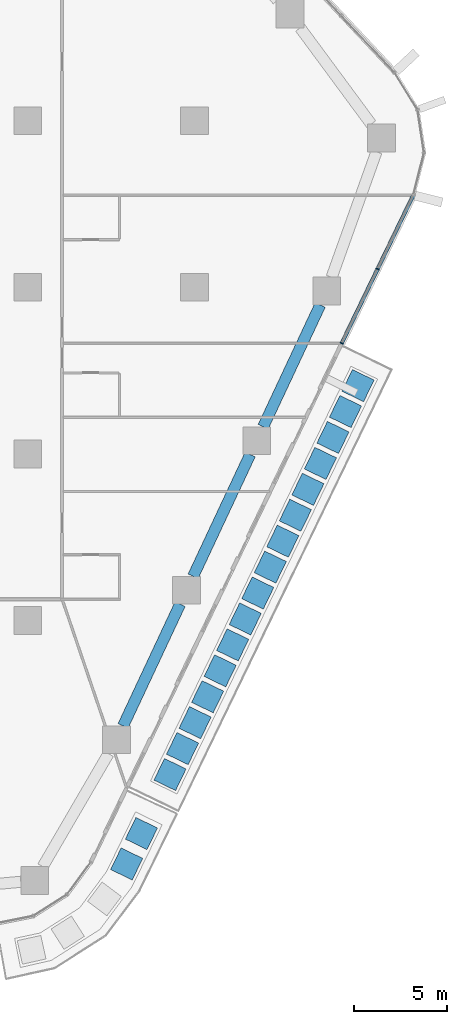
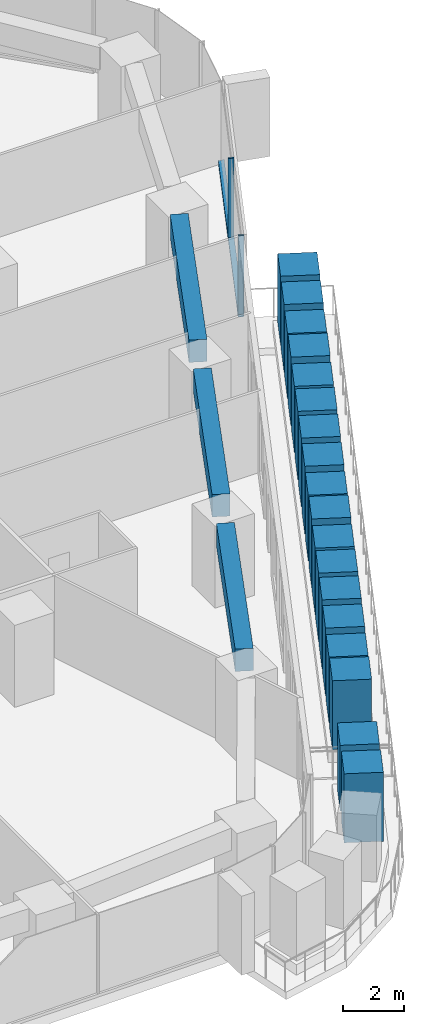
# One storey, part 6 of 24: 21 members, 3 beams, 1 element without a shape of its own.
"""IFC4 building model written with IfcOpenShell, lengths in metres."""

from ifc_helpers import new_model, si_unit, direction, frame, origin, origin_2d, place, context, subcontext, project, spatial, rectangle, extrude, material, layer, layer_set, material_profile, profile_set, type_object, element, aggregate, save


model = new_model("IFC4")

# Units and contexts
model_context = context("Model", 3, precision=1e-05, world=origin(), true_north=direction((0.0, 1.0)))
body_context = subcontext(model_context, "Body", "Model", "MODEL_VIEW")
ifc_project = project(units=[si_unit("LENGTHUNIT", "METRE"), si_unit("AREAUNIT", "SQUARE_METRE"), si_unit("VOLUMEUNIT", "CUBIC_METRE"), si_unit("PLANEANGLEUNIT", "RADIAN"), si_unit("MASSUNIT", "GRAM", prefix="KILO")], contexts=[model_context])

# Site, building, storey
site_placement = place(None, origin())
site = spatial("IfcSite", under=ifc_project, at=site_placement, CompositionType="ELEMENT")
building_placement = place(site_placement, origin())
building = spatial("IfcBuilding", under=site, at=building_placement, Name="Dongbaek Canopy Tower", CompositionType="ELEMENT")
storey_placement = place(building_placement, frame((0.0, 0.0, 47.699951171875)))
storey = spatial("IfcBuildingStorey", under=building, at=storey_placement, Name="L07", CompositionType="ELEMENT", Elevation=47.699951171875)

# Curtain wall, members
ifc_material_1 = material(Name="Aluminium 6063-T6 pale anodised", Category="aluminium")
ifc_layer = layer(ifc_material_1, 0.199951171875)
ifc_layer_set = layer_set([ifc_layer], Name="CW-1 unitised tower curtain wall")
curtain_wall_type = type_object("IfcCurtainWallType", Name="CW-1 unitised tower curtain wall", PredefinedType="NOTDEFINED", material=ifc_layer_set)
curtain_wall_placement = place(storey_placement, origin())
curtain_wall = element("IfcCurtainWall", 1, at=curtain_wall_placement, inside=storey, type_object=curtain_wall_type, Name="CW-1 curtain wall F5.1", PredefinedType="NOTDEFINED")
ifc_material_2 = material(Name="Aluminium 6063-T6 pale anodised", Category="aluminium")
ifc_material_profile_1 = material_profile(ifc_material_2, rectangle(XDim=0.199951171875, YDim=0.06005859375, at=origin_2d()), Name="CW-1 mullion 60 x 200")
ifc_profile_set_1 = profile_set([ifc_material_profile_1], Name="Aluminium 6063-T6 pale anodised")
member_type_1 = type_object("IfcMemberType", Name="CW-1 mullion 60 x 200", PredefinedType="MULLION", material=ifc_profile_set_1)
member_1_placement = place(storey_placement, frame((34.953857421875, -3.023193359375, 0.1201171875), z_axis=(0.0, 0.0, 1.0), x_axis=(0.900312061201, -0.435244979817, 0.0)))
member_1 = element("IfcMember", 2, at=member_1_placement, type_object=member_type_1, Name="CW-1 mullion F5.1.1", PredefinedType="MULLION", context=body_context, shape_type="SweptSolid", body=[
    extrude(rectangle(XDim=0.199951171875, YDim=0.06005859375, at=origin_2d()), origin(), (0.0, 0.0, 1.0), 3.179931640625),
])
member_2_placement = place(storey_placement, frame((36.8896484375, 0.981689453125, 0.1201171875), z_axis=(0.0, 0.0, 1.0), x_axis=(0.900312061201, -0.435244979817, 0.0)))
member_2 = element("IfcMember", 3, at=member_2_placement, type_object=member_type_1, Name="CW-1 mullion F5.1.2", PredefinedType="MULLION", context=body_context, shape_type="SweptSolid", body=[
    extrude(rectangle(XDim=0.199951171875, YDim=0.06005859375, at=origin_2d()), origin(), (0.0, 0.0, 1.0), 3.179931640625),
])
ifc_material_3 = material(Name="Aluminium 6063-T6 pale anodised", Category="aluminium")
ifc_material_profile_2 = material_profile(ifc_material_3, rectangle(XDim=0.199951171875, YDim=0.1201171875, at=origin_2d()), Name="CW-1 transom 120 x 200")
ifc_profile_set_2 = profile_set([ifc_material_profile_2], Name="Aluminium 6063-T6 pale anodised")
member_type_2 = type_object("IfcMemberType", Name="CW-1 transom 120 x 200", PredefinedType="USERDEFINED", material=ifc_profile_set_2)
member_3_placement = place(storey_placement, frame((34.953857421875, -3.023193359375, 0.06005859375), z_axis=(0.435216914324, 0.900325628584, 0.0), x_axis=(-0.900325628584, 0.435216914324, 0.0)))
member_3 = element("IfcMember", 4, at=member_3_placement, type_object=member_type_2, Name="CW-1 transom F5.1.1", ObjectType="TRANSOM", PredefinedType="USERDEFINED", context=body_context, shape_type="SweptSolid", body=[
    extrude(rectangle(XDim=0.199951171875, YDim=0.1201171875, at=origin_2d()), origin(), (0.0, 0.0, 1.0), 8.88623046875),
])
aggregate(curtain_wall, [member_1, member_2, member_3])

# Beams
ifc_material_4 = material(Name="Concrete C80", Category="concrete")
ifc_material_profile_3 = material_profile(ifc_material_4, rectangle(XDim=0.60009765625, YDim=0.89990234375, at=origin_2d()), Name="RC EDGE BEAM 600x900 C80")
ifc_profile_set_3 = profile_set([ifc_material_profile_3], Name="Concrete C80")
beam_type = type_object("IfcBeamType", Name="RC EDGE BEAM 600x900 C80", PredefinedType="BEAM", material=ifc_profile_set_3)
beam_1_placement = place(storey_placement, frame((33.791748046875, -0.955078125, 2.85009765625), z_axis=(-0.424064450026, -0.905632012588, 0.0), x_axis=(0.905632012588, -0.424064450026, 0.0)))
element("IfcBeam", 5, at=beam_1_placement, inside=storey, type_object=beam_type, Name="EDGEBEAM:L07:22", PredefinedType="BEAM", context=body_context, shape_type="SweptSolid", body=[
    extrude(rectangle(XDim=0.60009765625, YDim=0.89990234375, at=origin_2d()), origin(), (0.0, 0.0, 1.0), 7.264404296875),
])
beam_2_placement = place(storey_placement, frame((30.0087890625, -9.033935546875, 2.85009765625), z_axis=(-0.424110161641, -0.905610606604, 0.0), x_axis=(0.905610606604, -0.424110161641, 0.0)))
element("IfcBeam", 6, at=beam_2_placement, inside=storey, type_object=beam_type, Name="EDGEBEAM:L07:23", PredefinedType="BEAM", context=body_context, shape_type="SweptSolid", body=[
    extrude(rectangle(XDim=0.60009765625, YDim=0.89990234375, at=origin_2d()), origin(), (0.0, 0.0, 1.0), 7.265869140625),
])
beam_3_placement = place(storey_placement, frame((26.224609375, -17.114013671875, 2.85009765625), z_axis=(-0.42413422917, -0.905599335052, 0.0), x_axis=(0.905599335052, -0.42413422917, 0.0)))
element("IfcBeam", 7, at=beam_3_placement, inside=storey, type_object=beam_type, Name="EDGEBEAM:L07:24", PredefinedType="BEAM", context=body_context, shape_type="SweptSolid", body=[
    extrude(rectangle(XDim=0.60009765625, YDim=0.89990234375, at=origin_2d()), origin(), (0.0, 0.0, 1.0), 7.264892578125),
])

# Members
ifc_material_5 = material(Name="Concrete C40/50 planter mass with planting", Category="concrete")
ifc_material_profile_4 = material_profile(ifc_material_5, rectangle(XDim=1.300048828125, YDim=1.300048828125, at=origin_2d()), Name="Terrace PLANTER shrub mass 1300 x 1300")
ifc_profile_set_4 = profile_set([ifc_material_profile_4], Name="Concrete C40/50 planter mass with planting")
member_type_3 = type_object("IfcMemberType", Name="Terrace PLANTER shrub mass 1300 x 1300", PredefinedType="USERDEFINED", material=ifc_profile_set_4)
member_4_placement = place(storey_placement, frame((25.679443359375, -26.31982421875, 0.420166015625), z_axis=(0.0, 0.0, 1.0), x_axis=(0.900312061201, -0.435244979817, 0.0)))
element("IfcMember", 8, at=member_4_placement, inside=storey, type_object=member_type_3, Name="Planter shrubs L07 4.1", ObjectType="PLANTER", PredefinedType="USERDEFINED", context=body_context, shape_type="SweptSolid", body=[
    extrude(rectangle(XDim=1.300048828125, YDim=1.300048828125, at=origin_2d()), origin(), (0.0, 0.0, 1.0), 2.77978515625),
])
member_5_placement = place(storey_placement, frame((26.3564453125, -24.919189453125, 0.420166015625), z_axis=(0.0, 0.0, 1.0), x_axis=(0.900312061201, -0.435244979817, 0.0)))
element("IfcMember", 9, at=member_5_placement, inside=storey, type_object=member_type_3, Name="Planter shrubs L07 4.2", ObjectType="PLANTER", PredefinedType="USERDEFINED", context=body_context, shape_type="SweptSolid", body=[
    extrude(rectangle(XDim=1.300048828125, YDim=1.300048828125, at=origin_2d()), origin(), (0.0, 0.0, 1.0), 2.64990234375),
])
member_6_placement = place(storey_placement, frame((27.033447265625, -23.518798828125, 0.420166015625), z_axis=(0.0, 0.0, 1.0), x_axis=(0.900312061201, -0.435244979817, 0.0)))
element("IfcMember", 10, at=member_6_placement, inside=storey, type_object=member_type_3, Name="Planter shrubs L07 4.3", ObjectType="PLANTER", PredefinedType="USERDEFINED", context=body_context, shape_type="SweptSolid", body=[
    extrude(rectangle(XDim=1.300048828125, YDim=1.300048828125, at=origin_2d()), origin(), (0.0, 0.0, 1.0), 2.72998046875),
])
member_7_placement = place(storey_placement, frame((27.710693359375, -22.118408203125, 0.420166015625), z_axis=(0.0, 0.0, 1.0), x_axis=(0.900312061201, -0.435244979817, 0.0)))
element("IfcMember", 11, at=member_7_placement, inside=storey, type_object=member_type_3, Name="Planter shrubs L07 4.4", ObjectType="PLANTER", PredefinedType="USERDEFINED", context=body_context, shape_type="SweptSolid", body=[
    extrude(rectangle(XDim=1.300048828125, YDim=1.300048828125, at=origin_2d()), origin(), (0.0, 0.0, 1.0), 2.77978515625),
])
member_8_placement = place(storey_placement, frame((28.3876953125, -20.7177734375, 0.420166015625), z_axis=(0.0, 0.0, 1.0), x_axis=(0.900312061201, -0.435244979817, 0.0)))
element("IfcMember", 12, at=member_8_placement, inside=storey, type_object=member_type_3, Name="Planter shrubs L07 4.5", ObjectType="PLANTER", PredefinedType="USERDEFINED", context=body_context, shape_type="SweptSolid", body=[
    extrude(rectangle(XDim=1.300048828125, YDim=1.300048828125, at=origin_2d()), origin(), (0.0, 0.0, 1.0), 2.769775390625),
])
member_9_placement = place(storey_placement, frame((29.064697265625, -19.3173828125, 0.420166015625), z_axis=(0.0, 0.0, 1.0), x_axis=(0.900312061201, -0.435244979817, 0.0)))
element("IfcMember", 13, at=member_9_placement, inside=storey, type_object=member_type_3, Name="Planter shrubs L07 4.6", ObjectType="PLANTER", PredefinedType="USERDEFINED", context=body_context, shape_type="SweptSolid", body=[
    extrude(rectangle(XDim=1.300048828125, YDim=1.300048828125, at=origin_2d()), origin(), (0.0, 0.0, 1.0), 2.68994140625),
])
member_10_placement = place(storey_placement, frame((29.74169921875, -17.9169921875, 0.420166015625), z_axis=(0.0, 0.0, 1.0), x_axis=(0.900312061201, -0.435244979817, 0.0)))
element("IfcMember", 14, at=member_10_placement, inside=storey, type_object=member_type_3, Name="Planter shrubs L07 4.7", ObjectType="PLANTER", PredefinedType="USERDEFINED", context=body_context, shape_type="SweptSolid", body=[
    extrude(rectangle(XDim=1.300048828125, YDim=1.300048828125, at=origin_2d()), origin(), (0.0, 0.0, 1.0), 2.77978515625),
])
member_11_placement = place(storey_placement, frame((30.418701171875, -16.516357421875, 0.420166015625), z_axis=(0.0, 0.0, 1.0), x_axis=(0.900312061201, -0.435244979817, 0.0)))
element("IfcMember", 15, at=member_11_placement, inside=storey, type_object=member_type_3, Name="Planter shrubs L07 4.8", ObjectType="PLANTER", PredefinedType="USERDEFINED", context=body_context, shape_type="SweptSolid", body=[
    extrude(rectangle(XDim=1.300048828125, YDim=1.300048828125, at=origin_2d()), origin(), (0.0, 0.0, 1.0), 2.64990234375),
])
member_12_placement = place(storey_placement, frame((31.095703125, -15.115966796875, 0.420166015625), z_axis=(0.0, 0.0, 1.0), x_axis=(0.900312061201, -0.435244979817, 0.0)))
element("IfcMember", 16, at=member_12_placement, inside=storey, type_object=member_type_3, Name="Planter shrubs L07 4.9", ObjectType="PLANTER", PredefinedType="USERDEFINED", context=body_context, shape_type="SweptSolid", body=[
    extrude(rectangle(XDim=1.300048828125, YDim=1.300048828125, at=origin_2d()), origin(), (0.0, 0.0, 1.0), 2.72998046875),
])
member_13_placement = place(storey_placement, frame((31.772705078125, -13.715576171875, 0.420166015625), z_axis=(0.0, 0.0, 1.0), x_axis=(0.900312061201, -0.435244979817, 0.0)))
element("IfcMember", 17, at=member_13_placement, inside=storey, type_object=member_type_3, Name="Planter shrubs L07 4.10", ObjectType="PLANTER", PredefinedType="USERDEFINED", context=body_context, shape_type="SweptSolid", body=[
    extrude(rectangle(XDim=1.300048828125, YDim=1.300048828125, at=origin_2d()), origin(), (0.0, 0.0, 1.0), 2.77978515625),
])
member_14_placement = place(storey_placement, frame((32.449951171875, -12.315185546875, 0.420166015625), z_axis=(0.0, 0.0, 1.0), x_axis=(0.900312061201, -0.435244979817, 0.0)))
element("IfcMember", 18, at=member_14_placement, inside=storey, type_object=member_type_3, Name="Planter shrubs L07 4.11", ObjectType="PLANTER", PredefinedType="USERDEFINED", context=body_context, shape_type="SweptSolid", body=[
    extrude(rectangle(XDim=1.300048828125, YDim=1.300048828125, at=origin_2d()), origin(), (0.0, 0.0, 1.0), 2.769775390625),
])
member_15_placement = place(storey_placement, frame((33.126953125, -10.91455078125, 0.420166015625), z_axis=(0.0, 0.0, 1.0), x_axis=(0.900312061201, -0.435244979817, 0.0)))
element("IfcMember", 19, at=member_15_placement, inside=storey, type_object=member_type_3, Name="Planter shrubs L07 4.12", ObjectType="PLANTER", PredefinedType="USERDEFINED", context=body_context, shape_type="SweptSolid", body=[
    extrude(rectangle(XDim=1.300048828125, YDim=1.300048828125, at=origin_2d()), origin(), (0.0, 0.0, 1.0), 2.68994140625),
])
member_16_placement = place(storey_placement, frame((33.803955078125, -9.51416015625, 0.420166015625), z_axis=(0.0, 0.0, 1.0), x_axis=(0.900312061201, -0.435244979817, 0.0)))
element("IfcMember", 20, at=member_16_placement, inside=storey, type_object=member_type_3, Name="Planter shrubs L07 4.13", ObjectType="PLANTER", PredefinedType="USERDEFINED", context=body_context, shape_type="SweptSolid", body=[
    extrude(rectangle(XDim=1.300048828125, YDim=1.300048828125, at=origin_2d()), origin(), (0.0, 0.0, 1.0), 2.77978515625),
])
member_17_placement = place(storey_placement, frame((34.48095703125, -8.11376953125, 0.420166015625), z_axis=(0.0, 0.0, 1.0), x_axis=(0.900312061201, -0.435244979817, 0.0)))
element("IfcMember", 21, at=member_17_placement, inside=storey, type_object=member_type_3, Name="Planter shrubs L07 4.14", ObjectType="PLANTER", PredefinedType="USERDEFINED", context=body_context, shape_type="SweptSolid", body=[
    extrude(rectangle(XDim=1.300048828125, YDim=1.300048828125, at=origin_2d()), origin(), (0.0, 0.0, 1.0), 2.64990234375),
])
member_18_placement = place(storey_placement, frame((35.157958984375, -6.713134765625, 0.420166015625), z_axis=(0.0, 0.0, 1.0), x_axis=(0.900312061201, -0.435244979817, 0.0)))
element("IfcMember", 22, at=member_18_placement, inside=storey, type_object=member_type_3, Name="Planter shrubs L07 4.15", ObjectType="PLANTER", PredefinedType="USERDEFINED", context=body_context, shape_type="SweptSolid", body=[
    extrude(rectangle(XDim=1.300048828125, YDim=1.300048828125, at=origin_2d()), origin(), (0.0, 0.0, 1.0), 2.72998046875),
])
for number, where, z_axis, x_axis, name in (
    (23, (35.8349609375, -5.312744140625, 0.420166015625), (0.0, 0.0, 1.0), (0.900312061201, -0.435244979817, 0.0), "Planter shrubs L07 4.16"),
    (24, (23.338134765625, -31.150390625, 0.420166015625), (0.0, 0.0, 1.0), (0.899456045748, -0.437011237576, 0.0), "Planter shrubs L07 7.4"),
):
    element("IfcMember", number, at=place(storey_placement, frame(where, z_axis=z_axis, x_axis=x_axis)), inside=storey, type_object=member_type_3, Name=name, ObjectType="PLANTER", PredefinedType="USERDEFINED", context=body_context, shape_type="SweptSolid", body=[
        extrude(rectangle(XDim=1.300048828125, YDim=1.300048828125, at=origin_2d()), origin(), (0.0, 0.0, 1.0), 2.77978515625),
    ])
member_19_placement = place(storey_placement, frame((24.136474609375, -29.507080078125, 0.420166015625), z_axis=(0.0, 0.0, 1.0), x_axis=(0.899456045748, -0.437011237576, 0.0)))
element("IfcMember", 25, at=member_19_placement, inside=storey, type_object=member_type_3, Name="Planter shrubs L07 7.5", ObjectType="PLANTER", PredefinedType="USERDEFINED", context=body_context, shape_type="SweptSolid", body=[
    extrude(rectangle(XDim=1.300048828125, YDim=1.300048828125, at=origin_2d()), origin(), (0.0, 0.0, 1.0), 2.64990234375),
])

save(model, "model.ifc")
